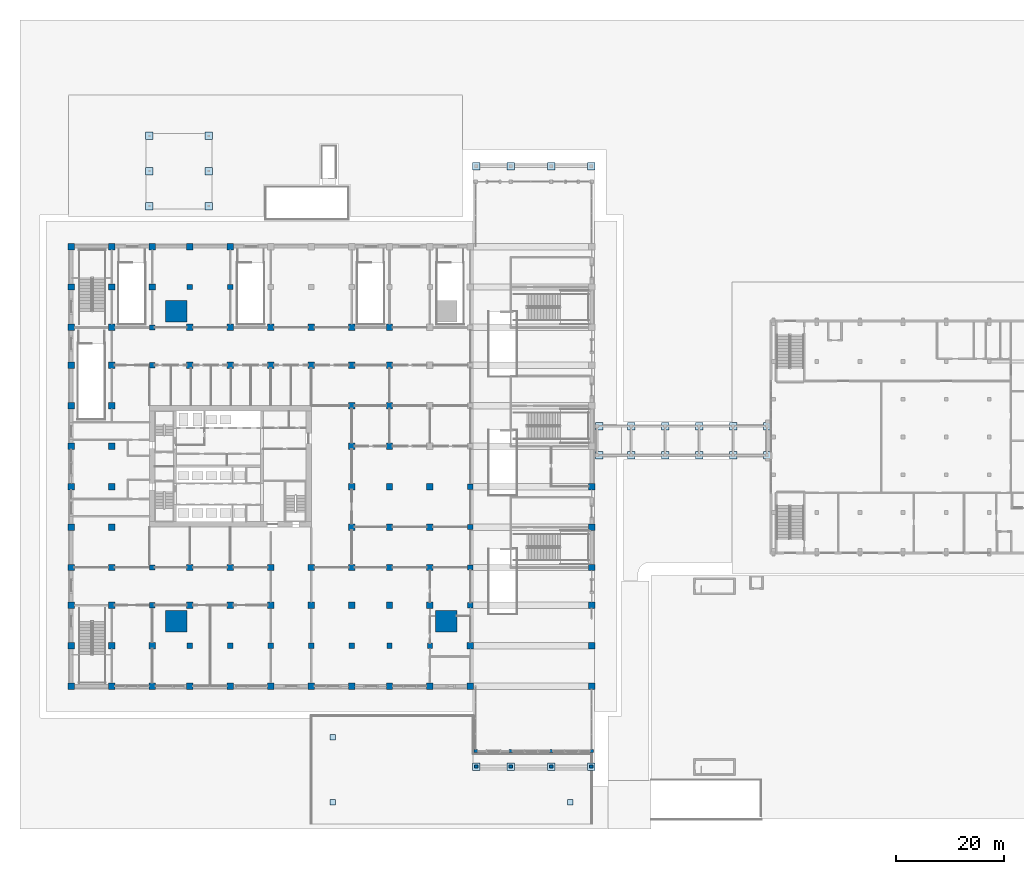
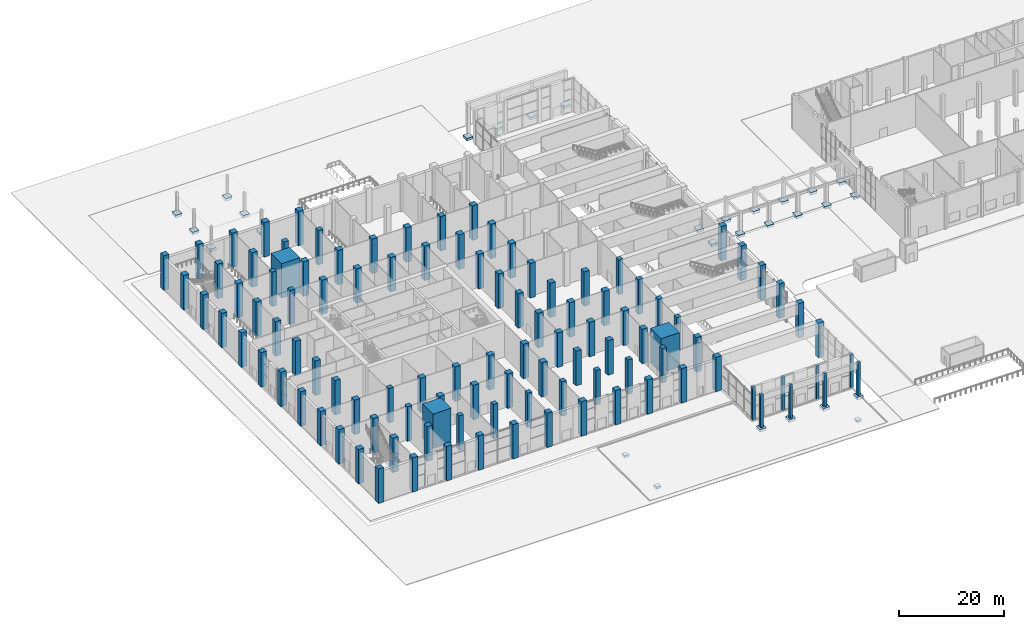
# One storey, part 1 of 57: 109 columns, 29 footings.
"""IFC4 building model written with IfcOpenShell, lengths in metres."""

import ifcopenshell
import ifcopenshell.guid

model = None  # the IFC model being written
_history = None  # IfcOwnerHistory: only IFC2X3 demands one
_inside = {}  # id of a spatial element -> (the spatial element, [elements in it])
_under = {}  # id of a project, library or spatial element -> (it, [spatial elements below it])
_declared = {}  # id of a project -> (the project, [libraries it declares])
_typed = {}  # id of a type object -> (the type object, [elements of that type])
_made_of = {}  # id of a material, layer set ... -> (it, [elements and type objects made of it])


def new_model(schema):
    """Start an empty IFC model of exactly this schema.

    Asked for "IFC4X3", IfcOpenShell would pick the latest addendum, in which some entities
    have other attributes; the version numbers below select the first issue.
    IFC2X3 requires an IfcOwnerHistory on every rooted entity: one is made here for all.
    """
    global model, _history
    if schema == "IFC4X3":
        model = ifcopenshell.file(schema_version=(4, 3, 0, 0))
    else:
        model = ifcopenshell.file(schema=schema)
    _inside.clear()
    _under.clear()
    _declared.clear()
    _typed.clear()
    _made_of.clear()
    _history = None
    if model.schema == "IFC2X3":
        org = make("IfcOrganization", Name="unknown")
        user = make(
            "IfcPersonAndOrganization",
            ThePerson=make("IfcPerson", FamilyName="unknown"),
            TheOrganization=org,
        )
        app = make(
            "IfcApplication",
            ApplicationDeveloper=org,
            Version="unknown",
            ApplicationFullName="unknown",
            ApplicationIdentifier="unknown",
        )
        _history = make(
            "IfcOwnerHistory",
            OwningUser=user,
            OwningApplication=app,
            ChangeAction="ADDED",
            CreationDate=0,
        )
    return model


def make(cls, **values):
    """One entity of the class cls with the attributes given. An attribute that is None is left unset."""
    return model.create_entity(
        cls, **{name: value for name, value in values.items() if value is not None}
    )


def rooted(cls, **values):
    """An entity with a GlobalId (a new one), such as an element, a storey or a relation."""
    return make(cls, GlobalId=ifcopenshell.guid.new(), OwnerHistory=_history, **values)


def si_unit(unit_type, name, prefix=None):
    """IfcSIUnit, for example si_unit("LENGTHUNIT", "METRE", prefix="MILLI")."""
    return make("IfcSIUnit", UnitType=unit_type, Prefix=prefix, Name=name)


def assignment(units):
    """IfcUnitAssignment: the units of a project."""
    return None if units is None else make("IfcUnitAssignment", Units=units)


def point(xyz):
    """IfcCartesianPoint."""
    return None if xyz is None else make("IfcCartesianPoint", Coordinates=xyz)


def direction(xyz):
    """IfcDirection."""
    return None if xyz is None else make("IfcDirection", DirectionRatios=xyz)


def frame(location, z_axis=None, x_axis=None):
    """IfcAxis2Placement3D, a coordinate frame: its origin and axes. An axis left out is left unset."""
    return make(
        "IfcAxis2Placement3D",
        Location=point(location),
        Axis=direction(z_axis),
        RefDirection=direction(x_axis),
    )


def frame_2d(location, x_axis=None):
    """IfcAxis2Placement2D, a coordinate frame in the plane: its origin and x axis."""
    return make(
        "IfcAxis2Placement2D", Location=point(location), RefDirection=direction(x_axis)
    )


def origin():
    """The frame at (0, 0, 0) with its axes left unset."""
    return frame((0.0, 0.0, 0.0))


def origin_2d():
    """The frame at (0, 0) in the plane with its x axis left unset."""
    return frame_2d((0.0, 0.0))


def place(relative_to, where):
    """IfcLocalPlacement: puts the frame where relative to a parent placement (None: the world)."""
    return make(
        "IfcLocalPlacement", PlacementRelTo=relative_to, RelativePlacement=where
    )


def context(
    kind, dimensions, precision=None, world=None, true_north=None, identifier=None
):
    """IfcGeometricRepresentationContext, for example the 3D "Model" context."""
    return make(
        "IfcGeometricRepresentationContext",
        ContextIdentifier=identifier,
        ContextType=kind,
        CoordinateSpaceDimension=dimensions,
        Precision=precision,
        WorldCoordinateSystem=world,
        TrueNorth=true_north,
    )


def subcontext(parent, identifier, kind, view, scale=None):
    """IfcGeometricRepresentationSubContext, for example "Body" below "Model"."""
    return make(
        "IfcGeometricRepresentationSubContext",
        ContextIdentifier=identifier,
        ContextType=kind,
        ParentContext=parent,
        TargetScale=scale,
        TargetView=view,
    )


def project(units=None, contexts=None):
    """IfcProject with its units and contexts."""
    return rooted(
        "IfcProject",
        Name="project",
        RepresentationContexts=contexts,
        UnitsInContext=assignment(units),
    )


def spatial(cls, under=None, at=None, **own):
    """A site, building, storey or space (cls), placed at a placement, below another one or the project."""
    s = rooted(cls, ObjectPlacement=at, **own)
    if under is not None:
        _under.setdefault(under.id(), (under, []))[1].append(s)
    return s


def profile(cls, at=None, kind="AREA", **sizes):
    """A parametric profile (cls). Its sizes go by their IFC names, for example OverallWidth=200.0."""
    return make(cls, ProfileType=kind, Position=at, **sizes)


def rectangle(**sizes):
    """IfcRectangleProfileDef."""
    return profile("IfcRectangleProfileDef", **sizes)


def extrude(swept, where, along, depth):
    """IfcExtrudedAreaSolid: the profile swept, set in the frame where, extruded along a direction by depth."""
    return make(
        "IfcExtrudedAreaSolid",
        SweptArea=swept,
        Position=where,
        ExtrudedDirection=direction(along),
        Depth=depth,
    )


def shape(context_of_items, identifier, shape_type, items):
    """IfcShapeRepresentation: the items that make up one representation, for example the "Body"."""
    return make(
        "IfcShapeRepresentation",
        ContextOfItems=context_of_items,
        RepresentationIdentifier=identifier,
        RepresentationType=shape_type,
        Items=items,
    )


def material(Name=None, Category=None):
    """IfcMaterial."""
    return make("IfcMaterial", Name=Name, Category=Category)


def layer(
    of_material, thickness, ventilated=None, Name=None, Category=None, Priority=None
):
    """IfcMaterialLayer: one layer of a wall or slab, of a material (None: an air gap)."""
    return make(
        "IfcMaterialLayer",
        Material=of_material,
        LayerThickness=thickness,
        IsVentilated=ventilated,
        Name=Name,
        Category=Category,
        Priority=Priority,
    )


def layer_set(layers, Name=None):
    """IfcMaterialLayerSet."""
    return make("IfcMaterialLayerSet", MaterialLayers=layers, LayerSetName=Name)


def material_profile(
    of_material, cross_section, Name=None, Category=None, Priority=None
):
    """IfcMaterialProfile: a cross section and its material."""
    return make(
        "IfcMaterialProfile",
        Name=Name,
        Material=of_material,
        Profile=cross_section,
        Priority=Priority,
        Category=Category,
    )


def profile_set(profiles, Name=None, composite=None):
    """IfcMaterialProfileSet."""
    return make(
        "IfcMaterialProfileSet",
        Name=Name,
        MaterialProfiles=profiles,
        CompositeProfile=composite,
    )


def made_of(thing, what):
    """Note that an element or type object is made of a material, layer set ...; save() writes the relation."""
    if what is not None:
        _made_of.setdefault(what.id(), (what, []))[1].append(thing)
    return thing


def type_object(cls, material=None, **own):
    """A type object (cls), such as IfcWallType, which elements share."""
    return made_of(rooted(cls, **own), material)


def element(
    cls,
    number,
    at=None,
    inside=None,
    cuts=None,
    type_object=None,
    material=None,
    context=None,
    identifier="Body",
    shape_type=None,
    held_by="IfcProductDefinitionShape",
    body=None,
    shapes=None,
    **own,
):
    """One element of the class cls, such as IfcWall. Its Tag is "e" and its number.

    at: its placement. inside: the storey or other place that contains it. cuts: it is an
    opening in that element (IfcRelVoidsElement). A single representation is given by context,
    identifier, shape_type and body (its items); several are given by shapes. held_by: the class
    of the entity that holds the representations. save() writes the other relations.
    """
    e = rooted(cls, Tag="e%d" % number, ObjectPlacement=at, **own)
    if body is not None:
        shapes = [shape(context, identifier, shape_type, body)]
    if shapes is not None:
        e.Representation = make(held_by, Representations=shapes)
    if inside is not None:
        _inside.setdefault(inside.id(), (inside, []))[1].append(e)
    if cuts is not None:
        rooted(
            "IfcRelVoidsElement", RelatingBuildingElement=cuts, RelatedOpeningElement=e
        )
    if type_object is not None:
        _typed.setdefault(type_object.id(), (type_object, []))[1].append(e)
    return made_of(e, material)


def aggregate(whole, parts):
    """IfcRelAggregates: a whole, such as a stair, and the parts it consists of."""
    return rooted("IfcRelAggregates", RelatingObject=whole, RelatedObjects=parts)


def save(model, path):
    """Write the relations noted so far, then the file.

    IfcRelAggregates (storeys below a building ...), IfcRelContainedInSpatialStructure (elements
    in a storey), IfcRelDefinesByType, IfcRelAssociatesMaterial and IfcRelDeclares: one each for
    every whole, place, type object, material and project.
    """
    for whole, parts in _under.values():
        aggregate(whole, parts)
    for where, things in _inside.values():
        rooted(
            "IfcRelContainedInSpatialStructure",
            RelatedElements=things,
            RelatingStructure=where,
        )
    for kind, things in _typed.values():
        rooted("IfcRelDefinesByType", RelatedObjects=things, RelatingType=kind)
    for what, things in _made_of.values():
        rooted("IfcRelAssociatesMaterial", RelatedObjects=things, RelatingMaterial=what)
    for by, libraries in _declared.values():
        rooted("IfcRelDeclares", RelatingContext=by, RelatedDefinitions=libraries)
    model.write(path)


model = new_model("IFC4")

# Units and contexts
model_context = context("Model", 3, precision=1e-05, world=origin(), true_north=direction((0.0, 1.0)))
body_context = subcontext(model_context, "Body", "Model", "MODEL_VIEW")
ifc_project = project(units=[si_unit("LENGTHUNIT", "METRE"), si_unit("AREAUNIT", "SQUARE_METRE"), si_unit("VOLUMEUNIT", "CUBIC_METRE"), si_unit("PLANEANGLEUNIT", "RADIAN"), si_unit("MASSUNIT", "GRAM", prefix="KILO")], contexts=[model_context])

# Site, building, storey
site_placement = place(None, origin())
site = spatial("IfcSite", under=ifc_project, at=site_placement, CompositionType="ELEMENT")
building_placement = place(site_placement, origin())
building = spatial("IfcBuilding", under=site, at=building_placement, Name="Tamorin Gate", CompositionType="ELEMENT")
storey_placement = place(building_placement, origin())
storey = spatial("IfcBuildingStorey", under=building, at=storey_placement, Name="L00", CompositionType="ELEMENT", Elevation=0.0)

# Footings
ifc_material_1 = material(Name="Concrete C40/50", Category="concrete")
ifc_layer = layer(ifc_material_1, 0.60009765625)
ifc_layer_set = layer_set([ifc_layer], Name="Portal pad footing 1400x1400x600")
footing_type_1 = type_object("IfcFootingType", Name="Portal pad footing 1400x1400x600", PredefinedType="PAD_FOOTING", material=ifc_layer_set)
for number, where, z_axis, x_axis, name in (
    (1, (90.60009765625, 15.60009765625, -0.60009765625), (0.0, 0.0, 1.0), (1.0, 0.0, 0.0), "Station entrance pad"),
    (2, (97.0, 15.60009765625, -0.60009765625), (0.0, 0.0, 1.0), (1.0, 0.0, 0.0), "Station entrance pad"),
    (3, (104.5, 15.60009765625, -0.60009765625), (0.0, 0.0, 1.0), (1.0, 0.0, 0.0), "Station entrance pad"),
    (4, (111.89990234375, 15.60009765625, -0.60009765625), (0.0, 0.0, 1.0), (1.0, 0.0, 0.0), "Station entrance pad"),
    (5, (90.60009765625, 126.89990234375, -0.60009765625), (0.0, 0.0, 1.0), (1.0, 0.0, 0.0), "Station entrance pad"),
    (6, (97.0, 126.89990234375, -0.60009765625), (0.0, 0.0, 1.0), (1.0, 0.0, 0.0), "Station entrance pad"),
    (7, (104.5, 126.89990234375, -0.60009765625), (0.0, 0.0, 1.0), (1.0, 0.0, 0.0), "Station entrance pad"),
    (8, (111.89990234375, 126.89990234375, -0.60009765625), (0.0, 0.0, 1.0), (1.0, 0.0, 0.0), "Station entrance pad"),
):
    element("IfcFooting", number, at=place(storey_placement, frame(where, z_axis=z_axis, x_axis=x_axis)), inside=storey, type_object=footing_type_1, Name=name, PredefinedType="PAD_FOOTING", context=body_context, shape_type="SweptSolid", body=[
        extrude(rectangle(XDim=1.39990234375, YDim=1.39990234375, at=origin_2d()), origin(), (0.0, 0.0, 1.0), 0.60009765625),
    ])
footing_type_2 = type_object("IfcFootingType", Name="RC pad footing 1000x1000x500 C40/50", PredefinedType="PAD_FOOTING", material=ifc_material_1)
for number, where, z_axis, x_axis, name in (
    (9, (64.0, 9.0, -0.699951171875), (0.0, 0.0, 1.0), (1.0, 0.0, 0.0), "Drop-off pad"),
    (10, (108.0, 9.0, -0.699951171875), (0.0, 0.0, 1.0), (1.0, 0.0, 0.0), "Drop-off pad"),
    (11, (64.0, 21.0, -0.699951171875), (0.0, 0.0, 1.0), (1.0, 0.0, 0.0), "Drop-off pad"),
):
    element("IfcFooting", number, at=place(storey_placement, frame(where, z_axis=z_axis, x_axis=x_axis)), inside=storey, type_object=footing_type_2, Name=name, PredefinedType="PAD_FOOTING", context=body_context, shape_type="SweptSolid", body=[
        extrude(rectangle(XDim=1.0, YDim=1.0, at=origin_2d()), origin(), (0.0, 0.0, 1.0), 0.5),
    ])
footing_type_3 = type_object("IfcFootingType", Name="RC pad footing 1400x1400x600 C40/50", PredefinedType="PAD_FOOTING", material=ifc_material_1)
for number, where, z_axis, x_axis, name in (
    (12, (113.35009765625, 73.300048828125, -0.60009765625), (0.0, 0.0, 1.0), (1.0, 0.0, 0.0), "Arcade pad"),
    (13, (113.35009765625, 78.699951171875, -0.60009765625), (0.0, 0.0, 1.0), (1.0, 0.0, 0.0), "Arcade pad"),
    (14, (119.300048828125, 73.300048828125, -0.60009765625), (0.0, 0.0, 1.0), (1.0, 0.0, 0.0), "Arcade pad"),
    (15, (119.300048828125, 78.699951171875, -0.60009765625), (0.0, 0.0, 1.0), (1.0, 0.0, 0.0), "Arcade pad"),
    (16, (125.60009765625, 73.300048828125, -0.60009765625), (0.0, 0.0, 1.0), (1.0, 0.0, 0.0), "Arcade pad"),
    (17, (125.60009765625, 78.699951171875, -0.60009765625), (0.0, 0.0, 1.0), (1.0, 0.0, 0.0), "Arcade pad"),
    (18, (131.89990234375, 73.300048828125, -0.60009765625), (0.0, 0.0, 1.0), (1.0, 0.0, 0.0), "Arcade pad"),
    (19, (131.89990234375, 78.699951171875, -0.60009765625), (0.0, 0.0, 1.0), (1.0, 0.0, 0.0), "Arcade pad"),
    (20, (138.199951171875, 73.300048828125, -0.60009765625), (0.0, 0.0, 1.0), (1.0, 0.0, 0.0), "Arcade pad"),
    (21, (138.199951171875, 78.699951171875, -0.60009765625), (0.0, 0.0, 1.0), (1.0, 0.0, 0.0), "Arcade pad"),
    (22, (144.5, 73.300048828125, -0.60009765625), (0.0, 0.0, 1.0), (1.0, 0.0, 0.0), "Arcade pad"),
    (23, (144.5, 78.699951171875, -0.60009765625), (0.0, 0.0, 1.0), (1.0, 0.0, 0.0), "Arcade pad"),
    (24, (30.0, 119.5, -0.60009765625), (0.0, 0.0, 1.0), (1.0, 0.0, 0.0), "Canopy pad"),
    (25, (41.0, 119.5, -0.60009765625), (0.0, 0.0, 1.0), (1.0, 0.0, 0.0), "Canopy pad"),
    (26, (30.0, 132.5, -0.60009765625), (0.0, 0.0, 1.0), (1.0, 0.0, 0.0), "Canopy pad"),
    (27, (41.0, 132.5, -0.60009765625), (0.0, 0.0, 1.0), (1.0, 0.0, 0.0), "Canopy pad"),
    (28, (30.0, 126.0, -0.60009765625), (0.0, 0.0, 1.0), (1.0, 0.0, 0.0), "Canopy pad"),
    (29, (41.0, 126.0, -0.60009765625), (0.0, 0.0, 1.0), (1.0, 0.0, 0.0), "Canopy pad"),
):
    element("IfcFooting", number, at=place(storey_placement, frame(where, z_axis=z_axis, x_axis=x_axis)), inside=storey, type_object=footing_type_3, Name=name, PredefinedType="PAD_FOOTING", context=body_context, shape_type="SweptSolid", body=[
        extrude(rectangle(XDim=1.39990234375, YDim=1.39990234375, at=origin_2d()), origin(), (0.0, 0.0, 1.0), 0.60009765625),
    ])

# Columns
ifc_material_profile_1 = material_profile(ifc_material_1, rectangle(XDim=0.60009765625, YDim=0.60009765625, at=origin_2d()))
ifc_profile_set_1 = profile_set([ifc_material_profile_1], Name="Concrete C40/50")
column_type_1 = type_object("IfcColumnType", Name="Pavilion column 600", PredefinedType="COLUMN", material=ifc_profile_set_1)
for number, where, z_axis, x_axis, name in (
    (30, (90.5, 18.5, 0.0), (0.0, 0.0, 1.0), (1.0, 0.0, 0.0), "Pavilion column"),
    (31, (97.0, 18.5, 0.0), (0.0, 0.0, 1.0), (1.0, 0.0, 0.0), "Pavilion column"),
    (32, (104.5, 18.5, 0.0), (0.0, 0.0, 1.0), (1.0, 0.0, 0.0), "Pavilion column"),
    (33, (112.0, 18.5, 0.0), (0.0, 0.0, 1.0), (1.0, 0.0, 0.0), "Pavilion column"),
):
    element("IfcColumn", number, at=place(storey_placement, frame(where, z_axis=z_axis, x_axis=x_axis)), inside=storey, type_object=column_type_1, Name=name, PredefinedType="COLUMN", context=body_context, shape_type="SweptSolid", body=[
        extrude(rectangle(XDim=0.60009765625, YDim=0.60009765625, at=origin_2d()), origin(), (0.0, 0.0, 1.0), 7.699951171875),
    ])
ifc_material_profile_2 = material_profile(ifc_material_1, rectangle(XDim=0.60009765625, YDim=0.60009765625, at=origin_2d()), Name="RC 600x600")
ifc_profile_set_2 = profile_set([ifc_material_profile_2], Name="Concrete C40/50")
column_type_2 = type_object("IfcColumnType", Name="Portal pier 600", PredefinedType="COLUMN", material=ifc_profile_set_2)
for number, where, z_axis, x_axis, name in (
    (34, (90.60009765625, 15.60009765625, 0.0), (0.0, 0.0, 1.0), (1.0, 0.0, 0.0), "Station entrance pier"),
    (35, (97.0, 15.60009765625, 0.0), (0.0, 0.0, 1.0), (1.0, 0.0, 0.0), "Station entrance pier"),
    (36, (104.5, 15.60009765625, 0.0), (0.0, 0.0, 1.0), (1.0, 0.0, 0.0), "Station entrance pier"),
    (37, (111.89990234375, 15.60009765625, 0.0), (0.0, 0.0, 1.0), (1.0, 0.0, 0.0), "Station entrance pier"),
):
    element("IfcColumn", number, at=place(storey_placement, frame(where, z_axis=z_axis, x_axis=x_axis)), inside=storey, type_object=column_type_2, Name=name, PredefinedType="COLUMN", context=body_context, shape_type="SweptSolid", body=[
        extrude(rectangle(XDim=0.60009765625, YDim=0.60009765625, at=origin_2d()), origin(), (0.0, 0.0, 1.0), 7.699951171875),
    ])
ifc_material_2 = material(Name="Concrete C80/95", Category="concrete")
ifc_material_profile_3 = material_profile(ifc_material_2, rectangle(XDim=1.0, YDim=1.0, at=origin_2d()), Name="RC 1000x1000")
ifc_profile_set_3 = profile_set([ifc_material_profile_3], Name="Concrete C80/95")
column_type_3 = type_object("IfcColumnType", Name="RC column 1000x1000 C80/95", PredefinedType="COLUMN", material=ifc_profile_set_3)
for number, where, z_axis, x_axis, name in (
    (38, (30.5, 45.5, 0.0), (0.0, 0.0, 1.0), (1.0, 0.0, 0.0), "Ring column L00"),
    (39, (30.5, 52.5, 0.0), (0.0, 0.0, 1.0), (1.0, 0.0, 0.0), "Ring column L00"),
    (40, (30.5, 90.0, 0.0), (0.0, 0.0, 1.0), (1.0, 0.0, 0.0), "Ring column L00"),
    (41, (30.5, 97.0, 0.0), (0.0, 0.0, 1.0), (1.0, 0.0, 0.0), "Ring column L00"),
    (42, (37.5, 38.0, 0.0), (0.0, 0.0, 1.0), (1.0, 0.0, 0.0), "Ring column L00"),
    (43, (37.5, 104.5, 0.0), (0.0, 0.0, 1.0), (1.0, 0.0, 0.0), "Ring column L00"),
    (44, (45.0, 38.0, 0.0), (0.0, 0.0, 1.0), (1.0, 0.0, 0.0), "Ring column L00"),
    (45, (45.0, 104.5, 0.0), (0.0, 0.0, 1.0), (1.0, 0.0, 0.0), "Ring column L00"),
    (46, (52.5, 38.0, 0.0), (0.0, 0.0, 1.0), (1.0, 0.0, 0.0), "Ring column L00"),
    (47, (60.0, 38.0, 0.0), (0.0, 0.0, 1.0), (1.0, 0.0, 0.0), "Ring column L00"),
    (48, (67.5, 38.0, 0.0), (0.0, 0.0, 1.0), (1.0, 0.0, 0.0), "Ring column L00"),
    (49, (74.5, 38.0, 0.0), (0.0, 0.0, 1.0), (1.0, 0.0, 0.0), "Ring column L00"),
    (50, (82.0, 38.0, 0.0), (0.0, 0.0, 1.0), (1.0, 0.0, 0.0), "Ring column L00"),
    (51, (89.5, 45.5, 0.0), (0.0, 0.0, 1.0), (1.0, 0.0, 0.0), "Ring column L00"),
    (52, (89.5, 52.5, 0.0), (0.0, 0.0, 1.0), (1.0, 0.0, 0.0), "Ring column L00"),
    (53, (89.5, 60.0, 0.0), (0.0, 0.0, 1.0), (1.0, 0.0, 0.0), "Ring column L00"),
    (54, (89.5, 67.5, 0.0), (0.0, 0.0, 1.0), (1.0, 0.0, 0.0), "Ring column L00"),
):
    element("IfcColumn", number, at=place(storey_placement, frame(where, z_axis=z_axis, x_axis=x_axis)), inside=storey, type_object=column_type_3, Name=name, PredefinedType="COLUMN", context=body_context, shape_type="SweptSolid", body=[
        extrude(rectangle(XDim=1.0, YDim=1.0, at=origin_2d()), origin(), (0.0, 0.0, 1.0), 8.0),
    ])
ifc_material_profile_4 = material_profile(ifc_material_2, rectangle(XDim=1.199951171875, YDim=1.199951171875, at=origin_2d()), Name="RC 1200x1200")
ifc_profile_set_4 = profile_set([ifc_material_profile_4], Name="Concrete C80/95")
column_type_4 = type_object("IfcColumnType", Name="RC column 1200x1200 C80/95", PredefinedType="COLUMN", material=ifc_profile_set_4)
for number, where, z_axis, x_axis, name in (
    (55, (37.5, 45.5, 0.0), (0.0, 0.0, 1.0), (1.0, 0.0, 0.0), "Interior column L00"),
    (56, (37.5, 52.5, 0.0), (0.0, 0.0, 1.0), (1.0, 0.0, 0.0), "Interior column L00"),
    (57, (37.5, 90.0, 0.0), (0.0, 0.0, 1.0), (1.0, 0.0, 0.0), "Interior column L00"),
    (58, (37.5, 97.0, 0.0), (0.0, 0.0, 1.0), (1.0, 0.0, 0.0), "Interior column L00"),
    (59, (45.0, 45.5, 0.0), (0.0, 0.0, 1.0), (1.0, 0.0, 0.0), "Interior column L00"),
    (60, (45.0, 52.5, 0.0), (0.0, 0.0, 1.0), (1.0, 0.0, 0.0), "Interior column L00"),
    (61, (45.0, 90.0, 0.0), (0.0, 0.0, 1.0), (1.0, 0.0, 0.0), "Interior column L00"),
    (62, (45.0, 97.0, 0.0), (0.0, 0.0, 1.0), (1.0, 0.0, 0.0), "Interior column L00"),
    (63, (52.5, 45.5, 0.0), (0.0, 0.0, 1.0), (1.0, 0.0, 0.0), "Interior column L00"),
    (64, (52.5, 52.5, 0.0), (0.0, 0.0, 1.0), (1.0, 0.0, 0.0), "Interior column L00"),
    (65, (52.5, 90.0, 0.0), (0.0, 0.0, 1.0), (1.0, 0.0, 0.0), "Interior column L00"),
    (66, (52.5, 97.0, 0.0), (0.0, 0.0, 1.0), (1.0, 0.0, 0.0), "Interior column L00"),
    (67, (60.0, 45.5, 0.0), (0.0, 0.0, 1.0), (1.0, 0.0, 0.0), "Interior column L00"),
    (68, (60.0, 52.5, 0.0), (0.0, 0.0, 1.0), (1.0, 0.0, 0.0), "Interior column L00"),
    (69, (60.0, 90.0, 0.0), (0.0, 0.0, 1.0), (1.0, 0.0, 0.0), "Interior column L00"),
    (70, (60.0, 97.0, 0.0), (0.0, 0.0, 1.0), (1.0, 0.0, 0.0), "Interior column L00"),
    (71, (67.5, 45.5, 0.0), (0.0, 0.0, 1.0), (1.0, 0.0, 0.0), "Interior column L00"),
    (72, (67.5, 52.5, 0.0), (0.0, 0.0, 1.0), (1.0, 0.0, 0.0), "Interior column L00"),
    (73, (67.5, 60.0, 0.0), (0.0, 0.0, 1.0), (1.0, 0.0, 0.0), "Interior column L00"),
    (74, (67.5, 67.5, 0.0), (0.0, 0.0, 1.0), (1.0, 0.0, 0.0), "Interior column L00"),
    (75, (67.5, 75.0, 0.0), (0.0, 0.0, 1.0), (1.0, 0.0, 0.0), "Interior column L00"),
    (76, (67.5, 82.5, 0.0), (0.0, 0.0, 1.0), (1.0, 0.0, 0.0), "Interior column L00"),
    (77, (67.5, 90.0, 0.0), (0.0, 0.0, 1.0), (1.0, 0.0, 0.0), "Interior column L00"),
    (78, (67.5, 97.0, 0.0), (0.0, 0.0, 1.0), (1.0, 0.0, 0.0), "Interior column L00"),
    (79, (74.5, 45.5, 0.0), (0.0, 0.0, 1.0), (1.0, 0.0, 0.0), "Interior column L00"),
    (80, (74.5, 52.5, 0.0), (0.0, 0.0, 1.0), (1.0, 0.0, 0.0), "Interior column L00"),
    (81, (74.5, 60.0, 0.0), (0.0, 0.0, 1.0), (1.0, 0.0, 0.0), "Interior column L00"),
    (82, (74.5, 67.5, 0.0), (0.0, 0.0, 1.0), (1.0, 0.0, 0.0), "Interior column L00"),
    (83, (74.5, 75.0, 0.0), (0.0, 0.0, 1.0), (1.0, 0.0, 0.0), "Interior column L00"),
    (84, (74.5, 82.5, 0.0), (0.0, 0.0, 1.0), (1.0, 0.0, 0.0), "Interior column L00"),
    (85, (74.5, 90.0, 0.0), (0.0, 0.0, 1.0), (1.0, 0.0, 0.0), "Interior column L00"),
    (86, (74.5, 97.0, 0.0), (0.0, 0.0, 1.0), (1.0, 0.0, 0.0), "Interior column L00"),
    (87, (82.0, 45.5, 0.0), (0.0, 0.0, 1.0), (1.0, 0.0, 0.0), "Interior column L00"),
    (88, (82.0, 52.5, 0.0), (0.0, 0.0, 1.0), (1.0, 0.0, 0.0), "Interior column L00"),
    (89, (82.0, 60.0, 0.0), (0.0, 0.0, 1.0), (1.0, 0.0, 0.0), "Interior column L00"),
    (90, (82.0, 67.5, 0.0), (0.0, 0.0, 1.0), (1.0, 0.0, 0.0), "Interior column L00"),
    (91, (15.5, 30.5, 0.0), (0.0, 0.0, 1.0), (1.0, 0.0, 0.0), "Podium column L00"),
    (92, (15.5, 38.0, 0.0), (0.0, 0.0, 1.0), (1.0, 0.0, 0.0), "Podium column L00"),
    (93, (15.5, 45.5, 0.0), (0.0, 0.0, 1.0), (1.0, 0.0, 0.0), "Podium column L00"),
    (94, (15.5, 52.5, 0.0), (0.0, 0.0, 1.0), (1.0, 0.0, 0.0), "Podium column L00"),
    (95, (15.5, 60.0, 0.0), (0.0, 0.0, 1.0), (1.0, 0.0, 0.0), "Podium column L00"),
    (96, (15.5, 67.5, 0.0), (0.0, 0.0, 1.0), (1.0, 0.0, 0.0), "Podium column L00"),
    (97, (15.5, 75.0, 0.0), (0.0, 0.0, 1.0), (1.0, 0.0, 0.0), "Podium column L00"),
    (98, (15.5, 82.5, 0.0), (0.0, 0.0, 1.0), (1.0, 0.0, 0.0), "Podium column L00"),
    (99, (15.5, 90.0, 0.0), (0.0, 0.0, 1.0), (1.0, 0.0, 0.0), "Podium column L00"),
    (100, (15.5, 97.0, 0.0), (0.0, 0.0, 1.0), (1.0, 0.0, 0.0), "Podium column L00"),
    (101, (15.5, 104.5, 0.0), (0.0, 0.0, 1.0), (1.0, 0.0, 0.0), "Podium column L00"),
    (102, (15.5, 112.0, 0.0), (0.0, 0.0, 1.0), (1.0, 0.0, 0.0), "Podium column L00"),
    (103, (23.0, 30.5, 0.0), (0.0, 0.0, 1.0), (1.0, 0.0, 0.0), "Podium column L00"),
    (104, (23.0, 38.0, 0.0), (0.0, 0.0, 1.0), (1.0, 0.0, 0.0), "Podium column L00"),
    (105, (23.0, 45.5, 0.0), (0.0, 0.0, 1.0), (1.0, 0.0, 0.0), "Podium column L00"),
    (106, (23.0, 52.5, 0.0), (0.0, 0.0, 1.0), (1.0, 0.0, 0.0), "Podium column L00"),
    (107, (23.0, 60.0, 0.0), (0.0, 0.0, 1.0), (1.0, 0.0, 0.0), "Podium column L00"),
    (108, (23.0, 67.5, 0.0), (0.0, 0.0, 1.0), (1.0, 0.0, 0.0), "Podium column L00"),
    (109, (23.0, 75.0, 0.0), (0.0, 0.0, 1.0), (1.0, 0.0, 0.0), "Podium column L00"),
    (110, (23.0, 82.5, 0.0), (0.0, 0.0, 1.0), (1.0, 0.0, 0.0), "Podium column L00"),
    (111, (23.0, 90.0, 0.0), (0.0, 0.0, 1.0), (1.0, 0.0, 0.0), "Podium column L00"),
    (112, (23.0, 97.0, 0.0), (0.0, 0.0, 1.0), (1.0, 0.0, 0.0), "Podium column L00"),
    (113, (23.0, 104.5, 0.0), (0.0, 0.0, 1.0), (1.0, 0.0, 0.0), "Podium column L00"),
    (114, (23.0, 112.0, 0.0), (0.0, 0.0, 1.0), (1.0, 0.0, 0.0), "Podium column L00"),
    (115, (30.5, 30.5, 0.0), (0.0, 0.0, 1.0), (1.0, 0.0, 0.0), "Podium column L00"),
    (116, (30.5, 38.0, 0.0), (0.0, 0.0, 1.0), (1.0, 0.0, 0.0), "Podium column L00"),
    (117, (30.5, 104.5, 0.0), (0.0, 0.0, 1.0), (1.0, 0.0, 0.0), "Podium column L00"),
    (118, (30.5, 112.0, 0.0), (0.0, 0.0, 1.0), (1.0, 0.0, 0.0), "Podium column L00"),
    (119, (37.5, 30.5, 0.0), (0.0, 0.0, 1.0), (1.0, 0.0, 0.0), "Podium column L00"),
    (120, (37.5, 112.0, 0.0), (0.0, 0.0, 1.0), (1.0, 0.0, 0.0), "Podium column L00"),
    (121, (45.0, 30.5, 0.0), (0.0, 0.0, 1.0), (1.0, 0.0, 0.0), "Podium column L00"),
    (122, (45.0, 112.0, 0.0), (0.0, 0.0, 1.0), (1.0, 0.0, 0.0), "Podium column L00"),
    (123, (52.5, 30.5, 0.0), (0.0, 0.0, 1.0), (1.0, 0.0, 0.0), "Podium column L00"),
    (124, (60.0, 30.5, 0.0), (0.0, 0.0, 1.0), (1.0, 0.0, 0.0), "Podium column L00"),
    (125, (67.5, 30.5, 0.0), (0.0, 0.0, 1.0), (1.0, 0.0, 0.0), "Podium column L00"),
    (126, (74.5, 30.5, 0.0), (0.0, 0.0, 1.0), (1.0, 0.0, 0.0), "Podium column L00"),
    (127, (82.0, 30.5, 0.0), (0.0, 0.0, 1.0), (1.0, 0.0, 0.0), "Podium column L00"),
    (128, (89.5, 30.5, 0.0), (0.0, 0.0, 1.0), (1.0, 0.0, 0.0), "Podium column L00"),
    (129, (89.5, 38.0, 0.0), (0.0, 0.0, 1.0), (1.0, 0.0, 0.0), "Podium column L00"),
    (130, (112.0, 30.5, 0.0), (0.0, 0.0, 1.0), (1.0, 0.0, 0.0), "Podium column L00"),
    (131, (112.0, 38.0, 0.0), (0.0, 0.0, 1.0), (1.0, 0.0, 0.0), "Podium column L00"),
    (132, (112.0, 45.5, 0.0), (0.0, 0.0, 1.0), (1.0, 0.0, 0.0), "Podium column L00"),
    (133, (112.0, 52.5, 0.0), (0.0, 0.0, 1.0), (1.0, 0.0, 0.0), "Podium column L00"),
    (134, (112.0, 60.0, 0.0), (0.0, 0.0, 1.0), (1.0, 0.0, 0.0), "Podium column L00"),
    (135, (112.0, 67.5, 0.0), (0.0, 0.0, 1.0), (1.0, 0.0, 0.0), "Podium column L00"),
):
    element("IfcColumn", number, at=place(storey_placement, frame(where, z_axis=z_axis, x_axis=x_axis)), inside=storey, type_object=column_type_4, Name=name, PredefinedType="COLUMN", context=body_context, shape_type="SweptSolid", body=[
        extrude(rectangle(XDim=1.199951171875, YDim=1.199951171875, at=origin_2d()), origin(), (0.0, 0.0, 1.0), 8.0),
    ])
ifc_material_profile_5 = material_profile(ifc_material_2, rectangle(XDim=4.0, YDim=4.0, at=origin_2d()), Name="RC 4000x4000")
ifc_profile_set_5 = profile_set([ifc_material_profile_5], Name="Concrete C80/95")
column_type_5 = type_object("IfcColumnType", Name="RC column 4000x4000 C80/95", PredefinedType="COLUMN", material=ifc_profile_set_5)
for number, where, z_axis, x_axis, name in (
    (136, (35.0, 42.5, 0.0), (0.0, 0.0, 1.0), (1.0, 0.0, 0.0), "Mega column SW L00"),
    (137, (85.0, 42.5, 0.0), (0.0, 0.0, 1.0), (1.0, 0.0, 0.0), "Mega column SE L00"),
    (138, (35.0, 100.0, 0.0), (0.0, 0.0, 1.0), (1.0, 0.0, 0.0), "Mega column NW L00"),
):
    element("IfcColumn", number, at=place(storey_placement, frame(where, z_axis=z_axis, x_axis=x_axis)), inside=storey, type_object=column_type_5, Name=name, PredefinedType="COLUMN", context=body_context, shape_type="SweptSolid", body=[
        extrude(rectangle(XDim=4.0, YDim=4.0, at=origin_2d()), origin(), (0.0, 0.0, 1.0), 8.0),
    ])

save(model, "model.ifc")
